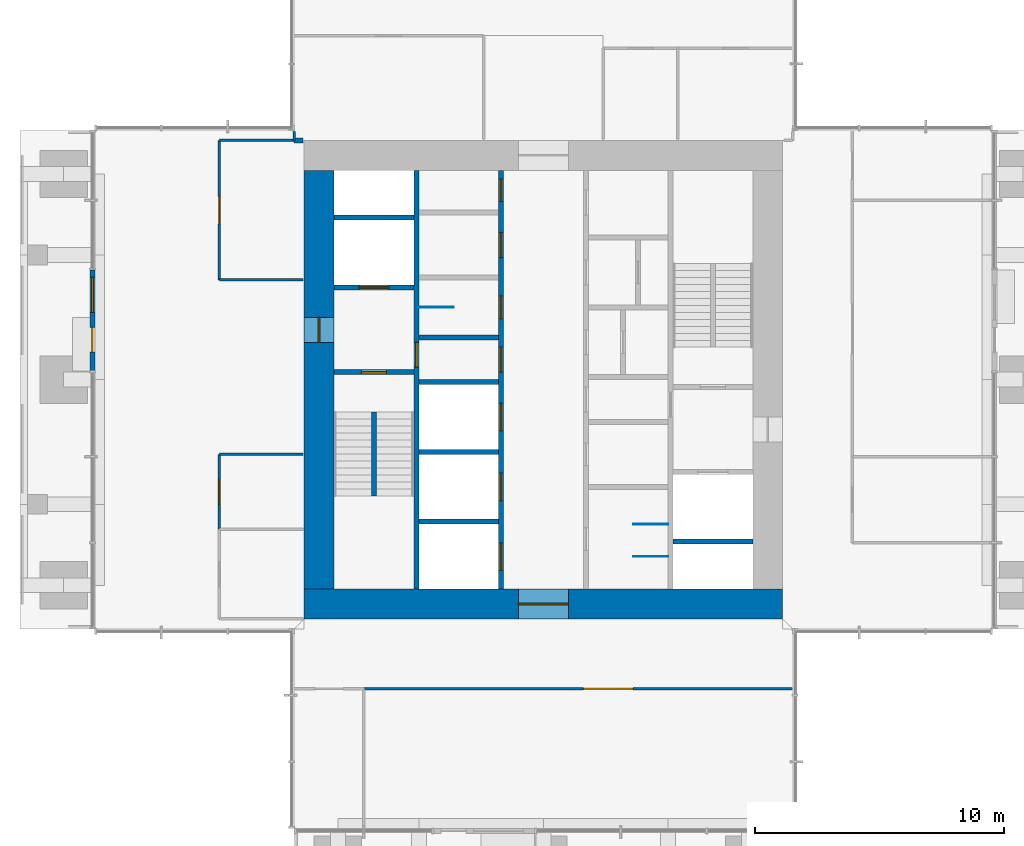
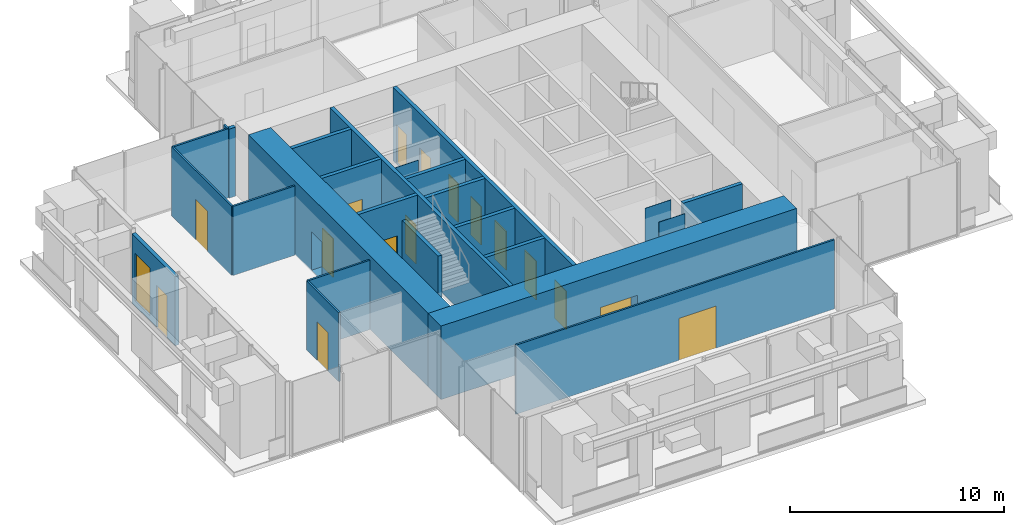
# One storey, part 7 of 12: 25 walls, 16 doors, 1 window, 17 openings.
"""IFC4 building model written with IfcOpenShell, lengths in metres."""

from ifc_helpers import new_model, si_unit, direction, frame, frame_2d, origin, place, context, subcontext, project, spatial, rectangle, extrude, material, layer, layer_set, type_object, element, fill, save


model = new_model("IFC4")

# Units and contexts
model_context = context("Model", 3, precision=1e-05, world=origin(), true_north=direction((0.0, 1.0)))
body_context = subcontext(model_context, "Body", "Model", "MODEL_VIEW")
ifc_project = project(units=[si_unit("LENGTHUNIT", "METRE"), si_unit("AREAUNIT", "SQUARE_METRE"), si_unit("VOLUMEUNIT", "CUBIC_METRE"), si_unit("PLANEANGLEUNIT", "RADIAN"), si_unit("MASSUNIT", "GRAM", prefix="KILO")], contexts=[model_context])

# Site, building, storey
site_placement = place(None, origin())
site = spatial("IfcSite", under=ifc_project, at=site_placement, CompositionType="ELEMENT")
building_placement = place(site_placement, origin())
building = spatial("IfcBuilding", under=site, at=building_placement, Name="Svetlomir Tower", CompositionType="ELEMENT")
storey_placement = place(building_placement, frame((0.0, 0.0, 265.0)))
storey = spatial("IfcBuildingStorey", under=building, at=storey_placement, Name="L63", CompositionType="ELEMENT", Elevation=265.0)

# Wall
ifc_material_1 = material(Name="Gypsum board on twin steel studs", Category="steel")
ifc_layer_1 = layer(ifc_material_1, 0.199951171875)
ifc_layer_set_1 = layer_set([ifc_layer_1], Name="Gypsum board on twin steel studs")
wall_type_1 = type_object("IfcWallType", Name="ACOUSTIC PARTITION 200", PredefinedType="PARTITIONING", material=ifc_layer_set_1)
wall_1_placement = place(storey_placement, frame((11.0, 30.60009765625, 0.0), z_axis=(0.0, 0.0, 1.0), x_axis=(1.0, 0.0, 0.0)))
element("IfcWall", 1, at=wall_1_placement, inside=storey, type_object=wall_type_1, Name="Acoustic partition L63", PredefinedType="PARTITIONING", context=body_context, shape_type="SweptSolid", body=[
    extrude(rectangle(XDim=0.35009765625, YDim=0.199951171875, at=frame_2d((0.175048828125, 0.0))), origin(), (0.0, 0.0, 1.0), 3.949951171875),
])

# Wall, openings, door, window
ifc_material_2 = material(Name="Bronze anodised aluminium glazed screen", Category="aluminium")
ifc_layer_2 = layer(ifc_material_2, 0.199951171875)
ifc_layer_set_2 = layer_set([ifc_layer_2], Name="Bronze anodised aluminium glazed screen")
wall_type_2 = type_object("IfcWallType", Name="BALCONY SCREEN WALL 200", PredefinedType="USERDEFINED", material=ifc_layer_set_2)
wall_2_placement = place(storey_placement, frame((2.89990234375, 25.39990234375, 0.0), z_axis=(0.0, 0.0, 1.0), x_axis=(0.0, -1.0, 0.0)))
wall_2 = element("IfcWall", 2, at=wall_2_placement, inside=storey, type_object=wall_type_2, Name="Balcony screen W", ObjectType="GLAZED SCREEN", PredefinedType="USERDEFINED", context=body_context, shape_type="SweptSolid", body=[
    extrude(rectangle(XDim=4.0498046875, YDim=0.199951171875, at=frame_2d((2.02490234375, 0.0))), origin(), (0.0, 0.0, 1.0), 3.949951171875),
])
opening_1_placement = place(wall_2_placement, frame((2.300048828125, 0.0, 0.0)))
opening_1 = element("IfcOpeningElement", 3, at=opening_1_placement, cuts=wall_2, Name="Opening BD", PredefinedType="OPENING", context=body_context, shape_type="SweptSolid", body=[
    extrude(rectangle(XDim=1.0, YDim=2.39990234375, at=frame_2d((0.5, 1.199951171875))), frame((0.0, 0.10986328125, 0.0), z_axis=(0.0, -1.0, 0.0), x_axis=(1.0, 0.0, 0.0)), (0.0, 0.0, 1.0), 0.219970703125),
])
opening_2_placement = place(wall_2_placement, frame((0.300048828125, 0.0, 0.300048828125)))
opening_2 = element("IfcOpeningElement", 4, at=opening_2_placement, cuts=wall_2, Name="Opening WS2", PredefinedType="OPENING", context=body_context, shape_type="SweptSolid", body=[
    extrude(rectangle(XDim=1.39990234375, YDim=2.699951171875, at=frame_2d((0.699951171875, 1.35009765625))), frame((0.0, 0.10986328125, 0.0), z_axis=(0.0, -1.0, 0.0), x_axis=(1.0, 0.0, 0.0)), (0.0, 0.0, 1.0), 0.219970703125),
])
ifc_material_3 = material(Name="Bronze anodised aluminium glazed door", Category="aluminium")
door_type_1 = type_object("IfcDoorType", Name="BALCONY DOOR BD 1000x2400", OperationType="SINGLE_SWING_LEFT", PredefinedType="DOOR", material=ifc_material_3)
door_1_placement = place(opening_1_placement, origin())
door_1 = element("IfcDoor", 5, at=door_1_placement, inside=storey, type_object=door_type_1, Name="Balcony screen W door", OperationType="SINGLE_SWING_LEFT", OverallHeight=2.39990234375, OverallWidth=1.0, PredefinedType="DOOR", context=body_context, shape_type="SweptSolid", body=[
    extrude(rectangle(XDim=1.0, YDim=2.39990234375, at=frame_2d((0.5, 1.199951171875))), frame((0.0, 0.02490234375, 0.0), z_axis=(0.0, -1.0, 0.0), x_axis=(1.0, 0.0, 0.0)), (0.0, 0.0, 1.0), 0.050048828125),
])
fill(opening_1, door_1)
ifc_material_4 = material(Name="Bronze anodised aluminium window", Category="aluminium")
window_type = type_object("IfcWindowType", Name="SCREEN WINDOW WS2 1400x2700", PartitioningType="SINGLE_PANEL", PredefinedType="WINDOW", material=ifc_material_4)
window_placement = place(opening_2_placement, origin())
window = element("IfcWindow", 6, at=window_placement, inside=storey, type_object=window_type, Name="Balcony screen W window 1", OverallHeight=2.699951171875, OverallWidth=1.39990234375, PartitioningType="SINGLE_PANEL", PredefinedType="WINDOW", context=body_context, shape_type="SweptSolid", body=[
    extrude(rectangle(XDim=1.39990234375, YDim=2.699951171875, at=frame_2d((0.699951171875, 1.35009765625))), frame((0.0, 0.030029296875, 0.0), z_axis=(0.0, -1.0, 0.0), x_axis=(1.0, 0.0, 0.0)), (0.0, 0.0, 1.0), 0.06005859375),
])
fill(opening_2, window)

# Wall, opening, door
ifc_material_5 = material(Name="Concrete C60/75", Category="concrete")
ifc_layer_3 = layer(ifc_material_5, 0.199951171875)
ifc_layer_set_3 = layer_set([ifc_layer_3], Name="Concrete C60/75")
wall_type_3 = type_object("IfcWallType", Name="CORE INNER WALL 200", PredefinedType="SHEAR", material=ifc_layer_set_3)
wall_3_placement = place(storey_placement, frame((15.89990234375, 12.60009765625, -0.050048828125), z_axis=(0.0, 0.0, 1.0), x_axis=(0.0, 1.0, 0.0)))
wall_3 = element("IfcWall", 7, at=wall_3_placement, inside=storey, type_object=wall_type_3, Name="Core inner wall 15.9 L63", PredefinedType="SHEAR", context=body_context, shape_type="SweptSolid", body=[
    extrude(rectangle(XDim=16.7998046875, YDim=0.199951171875, at=frame_2d((8.39990234375, 0.0))), origin(), (0.0, 0.0, 1.0), 4.199951171875),
])
opening_3_placement = place(wall_3_placement, frame((8.89990234375, 0.0, 0.050048828125)))
opening_3 = element("IfcOpeningElement", 8, at=opening_3_placement, cuts=wall_3, Name="Opening DF", PredefinedType="OPENING", context=body_context, shape_type="SweptSolid", body=[
    extrude(rectangle(XDim=1.0, YDim=2.199951171875, at=frame_2d((0.5, 1.10009765625))), frame((0.0, 0.10986328125, 0.0), z_axis=(0.0, -1.0, 0.0), x_axis=(1.0, 0.0, 0.0)), (0.0, 0.0, 1.0), 0.219970703125),
])
ifc_material_6 = material(Name="Steel fire door", Category="steel")
door_type_2 = type_object("IfcDoorType", Name="DOOR DF 1000x2200", OperationType="SINGLE_SWING_LEFT", PredefinedType="DOOR", material=ifc_material_6)
door_2_placement = place(opening_3_placement, origin())
door_2 = element("IfcDoor", 9, at=door_2_placement, inside=storey, type_object=door_type_2, Name="Core corridor west door L63", OperationType="SINGLE_SWING_LEFT", OverallHeight=2.199951171875, OverallWidth=1.0, PredefinedType="DOOR", context=body_context, shape_type="SweptSolid", body=[
    extrude(rectangle(XDim=1.0, YDim=2.199951171875, at=frame_2d((0.5, 1.10009765625))), frame((0.0, 0.02490234375, 0.0), z_axis=(0.0, -1.0, 0.0), x_axis=(1.0, 0.0, 0.0)), (0.0, 0.0, 1.0), 0.050048828125),
])
fill(opening_3, door_2)

# Wall, openings, doors
wall_4_placement = place(storey_placement, frame((19.300048828125, 12.60009765625, -0.050048828125), z_axis=(0.0, 0.0, 1.0), x_axis=(0.0, 1.0, 0.0)))
wall_4 = element("IfcWall", 10, at=wall_4_placement, inside=storey, type_object=wall_type_3, Name="Core inner wall 19.3 L63", PredefinedType="SHEAR", context=body_context, shape_type="SweptSolid", body=[
    extrude(rectangle(XDim=16.7998046875, YDim=0.199951171875, at=frame_2d((8.39990234375, 0.0))), origin(), (0.0, 0.0, 1.0), 4.199951171875),
])
opening_4_placement = place(wall_4_placement, frame((8.699951171875, 0.0, 0.050048828125)))
opening_4 = element("IfcOpeningElement", 11, at=opening_4_placement, cuts=wall_4, Name="Opening DC", PredefinedType="OPENING", context=body_context, shape_type="SweptSolid", body=[
    extrude(rectangle(XDim=1.0, YDim=2.199951171875, at=frame_2d((0.5, 1.10009765625))), frame((0.0, 0.10986328125, 0.0), z_axis=(0.0, -1.0, 0.0), x_axis=(1.0, 0.0, 0.0)), (0.0, 0.0, 1.0), 0.219970703125),
])
opening_5_placement = place(wall_4_placement, frame((10.85009765625, 0.0, 0.050048828125)))
opening_5 = element("IfcOpeningElement", 12, at=opening_5_placement, cuts=wall_4, Name="Opening DW", PredefinedType="OPENING", context=body_context, shape_type="SweptSolid", body=[
    extrude(rectangle(XDim=0.89990234375, YDim=2.199951171875, at=frame_2d((0.449951171875, 1.10009765625))), frame((0.0, 0.10986328125, 0.0), z_axis=(0.0, -1.0, 0.0), x_axis=(1.0, 0.0, 0.0)), (0.0, 0.0, 1.0), 0.219970703125),
])
opening_6_placement = place(wall_4_placement, frame((13.300048828125, 0.0, 0.050048828125)))
opening_6 = element("IfcOpeningElement", 13, at=opening_6_placement, cuts=wall_4, Name="Opening DC", PredefinedType="OPENING", context=body_context, shape_type="SweptSolid", body=[
    extrude(rectangle(XDim=1.0, YDim=2.199951171875, at=frame_2d((0.5, 1.10009765625))), frame((0.0, 0.10986328125, 0.0), z_axis=(0.0, -1.0, 0.0), x_axis=(1.0, 0.0, 0.0)), (0.0, 0.0, 1.0), 0.219970703125),
])
opening_7_placement = place(wall_4_placement, frame((15.550048828125, 0.0, 0.050048828125)))
opening_7 = element("IfcOpeningElement", 14, at=opening_7_placement, cuts=wall_4, Name="Opening DW", PredefinedType="OPENING", context=body_context, shape_type="SweptSolid", body=[
    extrude(rectangle(XDim=0.89990234375, YDim=2.199951171875, at=frame_2d((0.449951171875, 1.10009765625))), frame((0.0, 0.10986328125, 0.0), z_axis=(0.0, -1.0, 0.0), x_axis=(1.0, 0.0, 0.0)), (0.0, 0.0, 1.0), 0.219970703125),
])
opening_8_placement = place(wall_4_placement, frame((0.75, 0.0, 0.050048828125)))
opening_8 = element("IfcOpeningElement", 15, at=opening_8_placement, cuts=wall_4, Name="Opening LD", PredefinedType="OPENING", context=body_context, shape_type="SweptSolid", body=[
    extrude(rectangle(XDim=1.10009765625, YDim=2.199951171875, at=frame_2d((0.550048828125, 1.10009765625))), frame((0.0, 0.10986328125, 0.0), z_axis=(0.0, -1.0, 0.0), x_axis=(1.0, 0.0, 0.0)), (0.0, 0.0, 1.0), 0.219970703125),
])
opening_9_placement = place(wall_4_placement, frame((3.550048828125, 0.0, 0.050048828125)))
opening_9 = element("IfcOpeningElement", 16, at=opening_9_placement, cuts=wall_4, Name="Opening LD", PredefinedType="OPENING", context=body_context, shape_type="SweptSolid", body=[
    extrude(rectangle(XDim=1.10009765625, YDim=2.199951171875, at=frame_2d((0.550048828125, 1.10009765625))), frame((0.0, 0.10986328125, 0.0), z_axis=(0.0, -1.0, 0.0), x_axis=(1.0, 0.0, 0.0)), (0.0, 0.0, 1.0), 0.219970703125),
])
opening_10_placement = place(wall_4_placement, frame((6.35009765625, 0.0, 0.050048828125)))
opening_10 = element("IfcOpeningElement", 17, at=opening_10_placement, cuts=wall_4, Name="Opening LD", PredefinedType="OPENING", context=body_context, shape_type="SweptSolid", body=[
    extrude(rectangle(XDim=1.10009765625, YDim=2.199951171875, at=frame_2d((0.550048828125, 1.10009765625))), frame((0.0, 0.10986328125, 0.0), z_axis=(0.0, -1.0, 0.0), x_axis=(1.0, 0.0, 0.0)), (0.0, 0.0, 1.0), 0.219970703125),
])
ifc_material_7 = material(Name="Timber fire door", Category="wood")
door_type_3 = type_object("IfcDoorType", Name="DOOR DC 1000x2200", OperationType="SINGLE_SWING_LEFT", PredefinedType="DOOR", material=ifc_material_7)
door_3_placement = place(opening_4_placement, origin())
door_3 = element("IfcDoor", 18, at=door_3_placement, inside=storey, type_object=door_type_3, Name="Core corridor west lobby door L63", OperationType="SINGLE_SWING_LEFT", OverallHeight=2.199951171875, OverallWidth=1.0, PredefinedType="DOOR", context=body_context, shape_type="SweptSolid", body=[
    extrude(rectangle(XDim=1.0, YDim=2.199951171875, at=frame_2d((0.5, 1.10009765625))), frame((0.0, 0.02490234375, 0.0), z_axis=(0.0, -1.0, 0.0), x_axis=(1.0, 0.0, 0.0)), (0.0, 0.0, 1.0), 0.050048828125),
])
fill(opening_4, door_3)
door_4_placement = place(opening_6_placement, origin())
door_4 = element("IfcDoor", 19, at=door_4_placement, inside=storey, type_object=door_type_3, Name="Accessible WC door L63", OperationType="SINGLE_SWING_RIGHT", OverallHeight=2.199951171875, OverallWidth=1.0, PredefinedType="DOOR", context=body_context, shape_type="SweptSolid", body=[
    extrude(rectangle(XDim=1.0, YDim=2.199951171875, at=frame_2d((0.5, 1.10009765625))), frame((0.0, 0.02490234375, 0.0), z_axis=(0.0, -1.0, 0.0), x_axis=(1.0, 0.0, 0.0)), (0.0, 0.0, 1.0), 0.050048828125),
])
fill(opening_6, door_4)
ifc_material_8 = material(Name="Timber fire door", Category="wood")
door_type_4 = type_object("IfcDoorType", Name="DOOR DW 900x2200", OperationType="SINGLE_SWING_LEFT", PredefinedType="DOOR", material=ifc_material_8)
door_5_placement = place(opening_5_placement, origin())
door_5 = element("IfcDoor", 20, at=door_5_placement, inside=storey, type_object=door_type_4, Name="Female WC door L63", OperationType="SINGLE_SWING_LEFT", OverallHeight=2.199951171875, OverallWidth=0.89990234375, PredefinedType="DOOR", context=body_context, shape_type="SweptSolid", body=[
    extrude(rectangle(XDim=0.89990234375, YDim=2.199951171875, at=frame_2d((0.449951171875, 1.10009765625))), frame((0.0, 0.02490234375, 0.0), z_axis=(0.0, -1.0, 0.0), x_axis=(1.0, 0.0, 0.0)), (0.0, 0.0, 1.0), 0.050048828125),
])
fill(opening_5, door_5)
door_6_placement = place(opening_7_placement, origin())
door_6 = element("IfcDoor", 21, at=door_6_placement, inside=storey, type_object=door_type_4, Name="IT floor distributor room door L63", OperationType="SINGLE_SWING_LEFT", OverallHeight=2.199951171875, OverallWidth=0.89990234375, PredefinedType="DOOR", context=body_context, shape_type="SweptSolid", body=[
    extrude(rectangle(XDim=0.89990234375, YDim=2.199951171875, at=frame_2d((0.449951171875, 1.10009765625))), frame((0.0, 0.02490234375, 0.0), z_axis=(0.0, -1.0, 0.0), x_axis=(1.0, 0.0, 0.0)), (0.0, 0.0, 1.0), 0.050048828125),
])
fill(opening_7, door_6)
ifc_material_9 = material(Name="Stainless steel landing door", Category="steel")
door_type_5 = type_object("IfcDoorType", Name="LIFT LANDING DOOR LD 1100x2200", OperationType="DOUBLE_DOOR_SLIDING", PredefinedType="DOOR", material=ifc_material_9)
door_7_placement = place(opening_8_placement, origin())
door_7 = element("IfcDoor", 22, at=door_7_placement, inside=storey, type_object=door_type_5, Name="Landing door lift LD1 L63", OperationType="DOUBLE_DOOR_SLIDING", OverallHeight=2.199951171875, OverallWidth=1.10009765625, PredefinedType="DOOR", context=body_context, shape_type="SweptSolid", body=[
    extrude(rectangle(XDim=1.10009765625, YDim=2.199951171875, at=frame_2d((0.550048828125, 1.10009765625))), frame((0.0, 0.02490234375, 0.0), z_axis=(0.0, -1.0, 0.0), x_axis=(1.0, 0.0, 0.0)), (0.0, 0.0, 1.0), 0.050048828125),
])
fill(opening_8, door_7)
door_8_placement = place(opening_9_placement, origin())
door_8 = element("IfcDoor", 23, at=door_8_placement, inside=storey, type_object=door_type_5, Name="Landing door lift LD2 L63", OperationType="DOUBLE_DOOR_SLIDING", OverallHeight=2.199951171875, OverallWidth=1.10009765625, PredefinedType="DOOR", context=body_context, shape_type="SweptSolid", body=[
    extrude(rectangle(XDim=1.10009765625, YDim=2.199951171875, at=frame_2d((0.550048828125, 1.10009765625))), frame((0.0, 0.02490234375, 0.0), z_axis=(0.0, -1.0, 0.0), x_axis=(1.0, 0.0, 0.0)), (0.0, 0.0, 1.0), 0.050048828125),
])
fill(opening_9, door_8)
door_9_placement = place(opening_10_placement, origin())
door_9 = element("IfcDoor", 24, at=door_9_placement, inside=storey, type_object=door_type_5, Name="Landing door lift LD3 L63", OperationType="DOUBLE_DOOR_SLIDING", OverallHeight=2.199951171875, OverallWidth=1.10009765625, PredefinedType="DOOR", context=body_context, shape_type="SweptSolid", body=[
    extrude(rectangle(XDim=1.10009765625, YDim=2.199951171875, at=frame_2d((0.550048828125, 1.10009765625))), frame((0.0, 0.02490234375, 0.0), z_axis=(0.0, -1.0, 0.0), x_axis=(1.0, 0.0, 0.0)), (0.0, 0.0, 1.0), 0.050048828125),
])
fill(opening_10, door_9)

# Wall, opening, door
wall_5_placement = place(storey_placement, frame((12.60009765625, 21.300048828125, -0.050048828125), z_axis=(0.0, 0.0, 1.0), x_axis=(1.0, 0.0, 0.0)))
wall_5 = element("IfcWall", 25, at=wall_5_placement, inside=storey, type_object=wall_type_3, Name="Core inner wall 12.6-15.8/21.3 L63", PredefinedType="SHEAR", context=body_context, shape_type="SweptSolid", body=[
    extrude(rectangle(XDim=3.199951171875, YDim=0.199951171875, at=frame_2d((1.60009765625, 0.0))), origin(), (0.0, 0.0, 1.0), 4.199951171875),
])
opening_11_placement = place(wall_5_placement, frame((1.10009765625, 0.0, 0.050048828125)))
opening_11 = element("IfcOpeningElement", 26, at=opening_11_placement, cuts=wall_5, Name="Opening DF", PredefinedType="OPENING", context=body_context, shape_type="SweptSolid", body=[
    extrude(rectangle(XDim=1.0, YDim=2.199951171875, at=frame_2d((0.5, 1.10009765625))), frame((0.0, 0.10986328125, 0.0), z_axis=(0.0, -1.0, 0.0), x_axis=(1.0, 0.0, 0.0)), (0.0, 0.0, 1.0), 0.219970703125),
])
door_10_placement = place(opening_11_placement, origin())
door_10 = element("IfcDoor", 27, at=door_10_placement, inside=storey, type_object=door_type_2, Name="Stair S1 door L63", OperationType="SINGLE_SWING_LEFT", OverallHeight=2.199951171875, OverallWidth=1.0, PredefinedType="DOOR", context=body_context, shape_type="SweptSolid", body=[
    extrude(rectangle(XDim=1.0, YDim=2.199951171875, at=frame_2d((0.5, 1.10009765625))), frame((0.0, 0.02490234375, 0.0), z_axis=(0.0, -1.0, 0.0), x_axis=(1.0, 0.0, 0.0)), (0.0, 0.0, 1.0), 0.050048828125),
])
fill(opening_11, door_10)

wall_6_placement = place(storey_placement, frame((12.60009765625, 24.699951171875, -0.050048828125), z_axis=(0.0, 0.0, 1.0), x_axis=(1.0, 0.0, 0.0)))
wall_6 = element("IfcWall", 28, at=wall_6_placement, inside=storey, type_object=wall_type_3, Name="Core inner wall 12.6-15.8/24.7 L63", PredefinedType="SHEAR", context=body_context, shape_type="SweptSolid", body=[
    extrude(rectangle(XDim=3.199951171875, YDim=0.199951171875, at=frame_2d((1.60009765625, 0.0))), origin(), (0.0, 0.0, 1.0), 4.199951171875),
])
opening_12_placement = place(wall_6_placement, frame((1.0, 0.0, 0.050048828125)))
opening_12 = element("IfcOpeningElement", 29, at=opening_12_placement, cuts=wall_6, Name="Opening LD3", PredefinedType="OPENING", context=body_context, shape_type="SweptSolid", body=[
    extrude(rectangle(XDim=1.199951171875, YDim=2.199951171875, at=frame_2d((0.60009765625, 1.10009765625))), frame((0.0, 0.10986328125, 0.0), z_axis=(0.0, -1.0, 0.0), x_axis=(1.0, 0.0, 0.0)), (0.0, 0.0, 1.0), 0.219970703125),
])
ifc_material_10 = material(Name="Stainless steel fire-rated landing door", Category="steel")
door_type_6 = type_object("IfcDoorType", Name="FIREFIGHTING LIFT LANDING DOOR LD3 1200x2200", OperationType="DOUBLE_DOOR_SLIDING", PredefinedType="DOOR", material=ifc_material_10)
door_11_placement = place(opening_12_placement, origin())
door_11 = element("IfcDoor", 30, at=door_11_placement, inside=storey, type_object=door_type_6, Name="Landing door lift FL1 L63", OperationType="DOUBLE_DOOR_SLIDING", OverallHeight=2.199951171875, OverallWidth=1.199951171875, PredefinedType="DOOR", context=body_context, shape_type="SweptSolid", body=[
    extrude(rectangle(XDim=1.199951171875, YDim=2.199951171875, at=frame_2d((0.60009765625, 1.10009765625))), frame((0.0, 0.02490234375, 0.0), z_axis=(0.0, -1.0, 0.0), x_axis=(1.0, 0.0, 0.0)), (0.0, 0.0, 1.0), 0.050048828125),
])
fill(opening_12, door_11)

# Walls
for number, where, z_axis, x_axis, name in (
    (31, (12.60009765625, 27.5, -0.050048828125), (0.0, 0.0, 1.0), (1.0, 0.0, 0.0), "Core inner wall 12.6-15.8/27.5 L63"),
    (32, (16.0, 15.300048828125, -0.050048828125), (0.0, 0.0, 1.0), (1.0, 0.0, 0.0), "Core inner wall 16-19.2/15.3 L63"),
    (33, (16.0, 18.10009765625, -0.050048828125), (0.0, 0.0, 1.0), (1.0, 0.0, 0.0), "Core inner wall 16-19.2/18.1 L63"),
    (34, (16.0, 20.89990234375, -0.050048828125), (0.0, 0.0, 1.0), (1.0, 0.0, 0.0), "Core inner wall 16-19.2/20.9 L63"),
    (35, (16.0, 22.699951171875, -0.050048828125), (0.0, 0.0, 1.0), (1.0, 0.0, 0.0), "Core inner wall 16-19.2/22.7 L63"),
    (36, (26.199951171875, 14.5, -0.050048828125), (0.0, 0.0, 1.0), (1.0, 0.0, 0.0), "Core inner wall 26.2-29.4/14.5 L63"),
):
    element("IfcWall", number, at=place(storey_placement, frame(where, z_axis=z_axis, x_axis=x_axis)), inside=storey, type_object=wall_type_3, Name=name, PredefinedType="SHEAR", context=body_context, shape_type="SweptSolid", body=[
        extrude(rectangle(XDim=3.199951171875, YDim=0.199951171875, at=frame_2d((1.60009765625, 0.0))), origin(), (0.0, 0.0, 1.0), 4.199951171875),
    ])

# Wall, opening, door
ifc_material_11 = material(Name="Concrete C60/75", Category="concrete")
ifc_layer_4 = layer(ifc_material_11, 1.199951171875)
ifc_layer_set_4 = layer_set([ifc_layer_4], Name="Concrete C60/75")
wall_type_4 = type_object("IfcWallType", Name="CORE WALL 1200", PredefinedType="SHEAR", material=ifc_layer_set_4)
wall_7_placement = place(storey_placement, frame((11.39990234375, 12.0, -0.050048828125), z_axis=(0.0, 0.0, 1.0), x_axis=(1.0, 0.0, 0.0)))
wall_7 = element("IfcWall", 37, at=wall_7_placement, inside=storey, type_object=wall_type_4, Name="Core wall south L63", PredefinedType="SHEAR", context=body_context, shape_type="SweptSolid", body=[
    extrude(rectangle(XDim=19.2001953125, YDim=1.199951171875, at=frame_2d((9.60009765625, 0.0))), origin(), (0.0, 0.0, 1.0), 4.199951171875),
])
opening_13_placement = place(wall_7_placement, frame((8.60009765625, 0.0, 0.050048828125)))
opening_13 = element("IfcOpeningElement", 38, at=opening_13_placement, cuts=wall_7, Name="Opening DL", PredefinedType="OPENING", context=body_context, shape_type="SweptSolid", body=[
    extrude(rectangle(XDim=2.0, YDim=2.199951171875, at=frame_2d((1.0, 1.10009765625))), frame((0.0, 0.60986328125, 0.0), z_axis=(0.0, -1.0, 0.0), x_axis=(1.0, 0.0, 0.0)), (0.0, 0.0, 1.0), 1.219970703125),
])
ifc_material_12 = material(Name="Steel fire door", Category="steel")
door_type_7 = type_object("IfcDoorType", Name="DOOR DL 2000x2200", OperationType="DOUBLE_DOOR_SINGLE_SWING", PredefinedType="DOOR", material=ifc_material_12)
door_12_placement = place(opening_13_placement, origin())
door_12 = element("IfcDoor", 39, at=door_12_placement, inside=storey, type_object=door_type_7, Name="Lift lobby south door L63", OperationType="DOUBLE_DOOR_SINGLE_SWING", OverallHeight=2.199951171875, OverallWidth=2.0, PredefinedType="DOOR", context=body_context, shape_type="SweptSolid", body=[
    extrude(rectangle(XDim=2.0, YDim=2.199951171875, at=frame_2d((1.0, 1.10009765625))), frame((0.0, 0.02490234375, 0.0), z_axis=(0.0, -1.0, 0.0), x_axis=(1.0, 0.0, 0.0)), (0.0, 0.0, 1.0), 0.050048828125),
])
fill(opening_13, door_12)

wall_8_placement = place(storey_placement, frame((12.0, 12.60009765625, -0.050048828125), z_axis=(0.0, 0.0, 1.0), x_axis=(0.0, 1.0, 0.0)))
wall_8 = element("IfcWall", 40, at=wall_8_placement, inside=storey, type_object=wall_type_4, Name="Core wall west L63", PredefinedType="SHEAR", context=body_context, shape_type="SweptSolid", body=[
    extrude(rectangle(XDim=16.7998046875, YDim=1.199951171875, at=frame_2d((8.39990234375, 0.0))), origin(), (0.0, 0.0, 1.0), 4.199951171875),
])
opening_14_placement = place(wall_8_placement, frame((9.89990234375, 0.0, 0.050048828125)))
opening_14 = element("IfcOpeningElement", 41, at=opening_14_placement, cuts=wall_8, Name="Opening DF", PredefinedType="OPENING", context=body_context, shape_type="SweptSolid", body=[
    extrude(rectangle(XDim=1.0, YDim=2.199951171875, at=frame_2d((0.5, 1.10009765625))), frame((0.0, 0.60986328125, 0.0), z_axis=(0.0, -1.0, 0.0), x_axis=(1.0, 0.0, 0.0)), (0.0, 0.0, 1.0), 1.219970703125),
])
door_13_placement = place(opening_14_placement, origin())
door_13 = element("IfcDoor", 42, at=door_13_placement, inside=storey, type_object=door_type_2, Name="Firefighting lobby west door L63", OperationType="SINGLE_SWING_LEFT", OverallHeight=2.199951171875, OverallWidth=1.0, PredefinedType="DOOR", context=body_context, shape_type="SweptSolid", body=[
    extrude(rectangle(XDim=1.0, YDim=2.199951171875, at=frame_2d((0.5, 1.10009765625))), frame((0.0, 0.02490234375, 0.0), z_axis=(0.0, -1.0, 0.0), x_axis=(1.0, 0.0, 0.0)), (0.0, 0.0, 1.0), 0.050048828125),
])
fill(opening_14, door_13)

ifc_material_13 = material(Name="Framed laminated glass partition", Category="glass")
ifc_layer_5 = layer(ifc_material_13, 0.10009765625)
ifc_layer_set_5 = layer_set([ifc_layer_5], Name="Framed laminated glass partition")
wall_type_5 = type_object("IfcWallType", Name="GLAZED PARTITION 100", PredefinedType="PARTITIONING", material=ifc_layer_set_5)
wall_9_placement = place(storey_placement, frame((8.0, 15.0, 0.0), z_axis=(0.0, 0.0, 1.0), x_axis=(0.0, 1.0, 0.0)))
wall_9 = element("IfcWall", 43, at=wall_9_placement, inside=storey, type_object=wall_type_5, Name="Glazed partition L63", PredefinedType="PARTITIONING", context=body_context, shape_type="SweptSolid", body=[
    extrude(rectangle(XDim=3.0, YDim=0.10009765625, at=frame_2d((1.5, 0.0))), origin(), (0.0, 0.0, 1.0), 3.949951171875),
])
opening_15_placement = place(wall_9_placement, frame((1.0, 0.0, 0.0)))
opening_15 = element("IfcOpeningElement", 44, at=opening_15_placement, cuts=wall_9, Name="Opening DR", PredefinedType="OPENING", context=body_context, shape_type="SweptSolid", body=[
    extrude(rectangle(XDim=1.0, YDim=2.199951171875, at=frame_2d((0.5, 1.10009765625))), frame((0.0, 0.06005859375, 0.0), z_axis=(0.0, -1.0, 0.0), x_axis=(1.0, 0.0, 0.0)), (0.0, 0.0, 1.0), 0.1201171875),
])
ifc_material_14 = material(Name="Timber door, glazed side light", Category="wood")
door_type_8 = type_object("IfcDoorType", Name="DOOR DR 1000x2200", OperationType="SINGLE_SWING_LEFT", PredefinedType="DOOR", material=ifc_material_14)
door_14_placement = place(opening_15_placement, origin())
door_14 = element("IfcDoor", 45, at=door_14_placement, inside=storey, type_object=door_type_8, Name="Focus room door L63", OperationType="SINGLE_SWING_RIGHT", OverallHeight=2.199951171875, OverallWidth=1.0, PredefinedType="DOOR", context=body_context, shape_type="SweptSolid", body=[
    extrude(rectangle(XDim=1.0, YDim=2.199951171875, at=frame_2d((0.5, 1.10009765625))), frame((0.0, 0.02490234375, 0.0), z_axis=(0.0, -1.0, 0.0), x_axis=(1.0, 0.0, 0.0)), (0.0, 0.0, 1.0), 0.050048828125),
])
fill(opening_15, door_14)

# Wall
wall_10_placement = place(storey_placement, frame((8.0, 18.0, 0.0), z_axis=(0.0, 0.0, 1.0), x_axis=(1.0, 0.0, 0.0)))
element("IfcWall", 46, at=wall_10_placement, inside=storey, type_object=wall_type_5, Name="Glazed partition L63", PredefinedType="PARTITIONING", context=body_context, shape_type="SweptSolid", body=[
    extrude(rectangle(XDim=3.35009765625, YDim=0.10009765625, at=frame_2d((1.675048828125, 0.0))), origin(), (0.0, 0.0, 1.0), 3.949951171875),
])

# Wall, opening, door
wall_11_placement = place(storey_placement, frame((8.0, 25.0, 0.0), z_axis=(0.0, 0.0, 1.0), x_axis=(0.0, 1.0, 0.0)))
wall_11 = element("IfcWall", 47, at=wall_11_placement, inside=storey, type_object=wall_type_5, Name="Glazed partition L63", PredefinedType="PARTITIONING", context=body_context, shape_type="SweptSolid", body=[
    extrude(rectangle(XDim=5.60009765625, YDim=0.10009765625, at=frame_2d((2.800048828125, 0.0))), origin(), (0.0, 0.0, 1.0), 3.949951171875),
])
opening_16_placement = place(wall_11_placement, frame((2.25, 0.0, 0.0)))
opening_16 = element("IfcOpeningElement", 48, at=opening_16_placement, cuts=wall_11, Name="Opening DE", PredefinedType="OPENING", context=body_context, shape_type="SweptSolid", body=[
    extrude(rectangle(XDim=1.10009765625, YDim=2.300048828125, at=frame_2d((0.550048828125, 1.14990234375))), frame((0.0, 0.06005859375, 0.0), z_axis=(0.0, -1.0, 0.0), x_axis=(1.0, 0.0, 0.0)), (0.0, 0.0, 1.0), 0.1201171875),
])
ifc_material_15 = material(Name="Walnut veneered timber door", Category="wood")
door_type_9 = type_object("IfcDoorType", Name="DOOR DE 1100x2300", OperationType="SINGLE_SWING_LEFT", PredefinedType="DOOR", material=ifc_material_15)
door_15_placement = place(opening_16_placement, origin())
door_15 = element("IfcDoor", 49, at=door_15_placement, inside=storey, type_object=door_type_9, Name="Executive meeting room, 4 seats door L63", OperationType="SINGLE_SWING_LEFT", OverallHeight=2.300048828125, OverallWidth=1.10009765625, PredefinedType="DOOR", context=body_context, shape_type="SweptSolid", body=[
    extrude(rectangle(XDim=1.10009765625, YDim=2.300048828125, at=frame_2d((0.550048828125, 1.14990234375))), frame((0.0, 0.02490234375, 0.0), z_axis=(0.0, -1.0, 0.0), x_axis=(1.0, 0.0, 0.0)), (0.0, 0.0, 1.0), 0.050048828125),
])
fill(opening_16, door_15)

# Walls
wall_12_placement = place(storey_placement, frame((8.0, 25.0, 0.0), z_axis=(0.0, 0.0, 1.0), x_axis=(1.0, 0.0, 0.0)))
element("IfcWall", 50, at=wall_12_placement, inside=storey, type_object=wall_type_5, Name="Glazed partition L63", PredefinedType="PARTITIONING", context=body_context, shape_type="SweptSolid", body=[
    extrude(rectangle(XDim=3.35009765625, YDim=0.10009765625, at=frame_2d((1.675048828125, 0.0))), origin(), (0.0, 0.0, 1.0), 3.949951171875),
])
wall_13_placement = place(storey_placement, frame((8.0, 30.60009765625, 0.0), z_axis=(0.0, 0.0, 1.0), x_axis=(1.0, 0.0, 0.0)))
element("IfcWall", 51, at=wall_13_placement, inside=storey, type_object=wall_type_5, Name="Glazed partition L63", PredefinedType="PARTITIONING", context=body_context, shape_type="SweptSolid", body=[
    extrude(rectangle(XDim=3.0, YDim=0.10009765625, at=frame_2d((1.5, 0.0))), origin(), (0.0, 0.0, 1.0), 3.949951171875),
])
wall_14_placement = place(storey_placement, frame((11.0, 30.60009765625, 0.0), z_axis=(0.0, 0.0, 1.0), x_axis=(0.0, 1.0, 0.0)))
element("IfcWall", 52, at=wall_14_placement, inside=storey, type_object=wall_type_5, Name="Glazed partition L63", PredefinedType="PARTITIONING", context=body_context, shape_type="SweptSolid", body=[
    extrude(rectangle(XDim=0.349853515625, YDim=0.10009765625, at=frame_2d((0.1748046875, 0.0))), origin(), (0.0, 0.0, 1.0), 3.949951171875),
])

# Wall, opening, door
wall_15_placement = place(storey_placement, frame((13.800048828125, 8.60009765625, 0.0), z_axis=(0.0, 0.0, 1.0), x_axis=(1.0, 0.0, 0.0)))
wall_15 = element("IfcWall", 53, at=wall_15_placement, inside=storey, type_object=wall_type_5, Name="Partition L63", PredefinedType="PARTITIONING", context=body_context, shape_type="SweptSolid", body=[
    extrude(rectangle(XDim=17.199951171875, YDim=0.10009765625, at=frame_2d((8.60009765625, 0.0))), origin(), (0.0, 0.0, 1.0), 3.949951171875),
])
opening_17_placement = place(wall_15_placement, frame((8.800048828125, 0.0, 0.0)))
opening_17 = element("IfcOpeningElement", 54, at=opening_17_placement, cuts=wall_15, Name="Opening DX", PredefinedType="OPENING", context=body_context, shape_type="SweptSolid", body=[
    extrude(rectangle(XDim=2.0, YDim=2.39990234375, at=frame_2d((1.0, 1.199951171875))), frame((0.0, 0.06005859375, 0.0), z_axis=(0.0, -1.0, 0.0), x_axis=(1.0, 0.0, 0.0)), (0.0, 0.0, 1.0), 0.1201171875),
])
ifc_material_16 = material(Name="Walnut veneered timber door", Category="wood")
door_type_10 = type_object("IfcDoorType", Name="DOUBLE DOOR DX 2000x2400", OperationType="DOUBLE_DOOR_SINGLE_SWING", PredefinedType="DOOR", material=ifc_material_16)
door_16_placement = place(opening_17_placement, origin())
door_16 = element("IfcDoor", 55, at=door_16_placement, inside=storey, type_object=door_type_10, Name="Board room, 24 seats door L63", OperationType="DOUBLE_DOOR_SINGLE_SWING", OverallHeight=2.39990234375, OverallWidth=2.0, PredefinedType="DOOR", context=body_context, shape_type="SweptSolid", body=[
    extrude(rectangle(XDim=2.0, YDim=2.39990234375, at=frame_2d((1.0, 1.199951171875))), frame((0.0, 0.02490234375, 0.0), z_axis=(0.0, -1.0, 0.0), x_axis=(1.0, 0.0, 0.0)), (0.0, 0.0, 1.0), 0.050048828125),
])
fill(opening_17, door_16)

# Walls
ifc_material_17 = material(Name="Concrete C60/75", Category="concrete")
ifc_layer_6 = layer(ifc_material_17, 0.199951171875)
ifc_layer_set_6 = layer_set([ifc_layer_6], Name="Concrete C60/75")
wall_type_6 = type_object("IfcWallType", Name="STAIR SPINE WALL 200", PredefinedType="PARTITIONING", material=ifc_layer_set_6)
wall_16_placement = place(storey_placement, frame((14.199951171875, 16.340087890625, 0.0), z_axis=(0.0, 0.0, 1.0), x_axis=(0.0, 1.0, 0.0)))
element("IfcWall", 56, at=wall_16_placement, inside=storey, type_object=wall_type_6, Name="Stair S1 spine wall L63", PredefinedType="PARTITIONING", context=body_context, shape_type="SweptSolid", body=[
    extrude(rectangle(XDim=3.35986328125, YDim=0.199951171875, at=frame_2d((1.679931640625, 0.0))), origin(), (0.0, 0.0, 1.0), 4.199951171875),
])
ifc_material_18 = material(Name="Compact laminate panel", Category="plastic")
ifc_layer_7 = layer(ifc_material_18, 0.030029296875)
ifc_layer_set_7 = layer_set([ifc_layer_7], Name="Compact laminate panel")
wall_type_7 = type_object("IfcWallType", Name="WC CUBICLE PARTITION 30", PredefinedType="PARTITIONING", material=ifc_layer_set_7)
for number, where, z_axis, x_axis, name in (
    (57, (24.60009765625, 13.89990234375, 0.0), (0.0, 0.0, 1.0), (1.0, 0.0, 0.0), "WC cubicle partition L63"),
    (58, (24.60009765625, 15.199951171875, 0.0), (0.0, 0.0, 1.0), (1.0, 0.0, 0.0), "WC cubicle partition L63"),
    (59, (16.0, 23.89990234375, 0.0), (0.0, 0.0, 1.0), (1.0, 0.0, 0.0), "WC cubicle partition L63"),
):
    element("IfcWall", number, at=place(storey_placement, frame(where, z_axis=z_axis, x_axis=x_axis)), inside=storey, type_object=wall_type_7, Name=name, PredefinedType="PARTITIONING", context=body_context, shape_type="SweptSolid", body=[
        extrude(rectangle(XDim=1.39990234375, YDim=0.030029296875, at=frame_2d((0.699951171875, 0.0))), origin(), (0.0, 0.0, 1.0), 3.949951171875),
    ])

save(model, "model.ifc")
